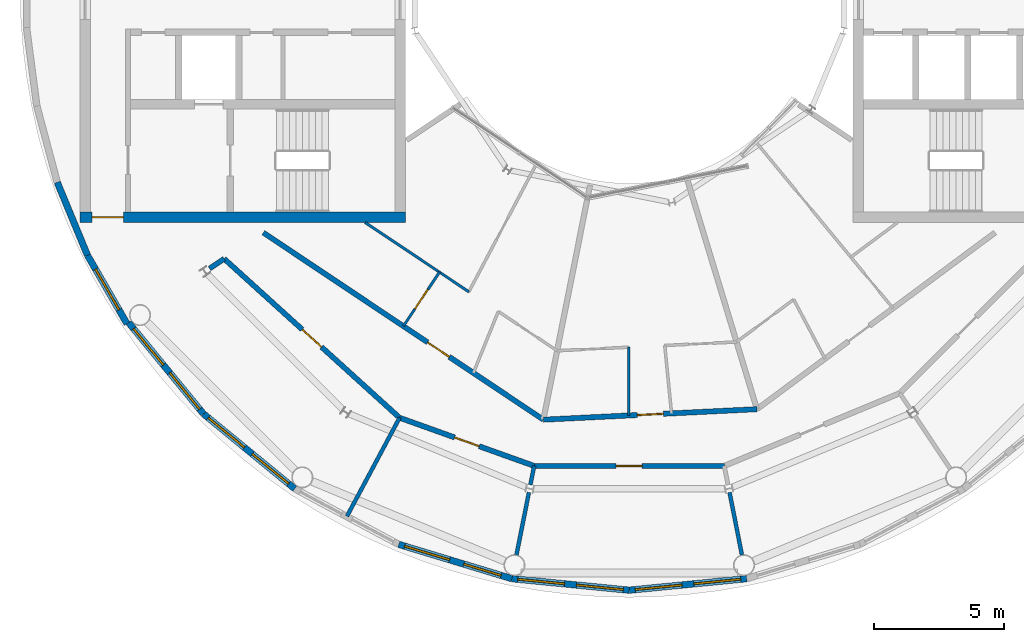
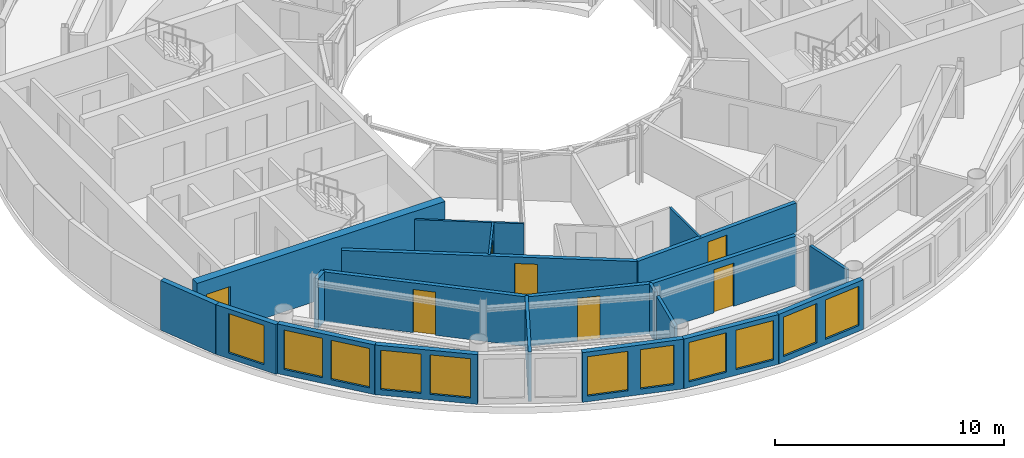
# One storey, part 8 of 17: 21 walls, 11 windows, 7 doors, 18 openings.
"""IFC4 building model written with IfcOpenShell, lengths in metres."""

from ifc_helpers import new_model, si_unit, direction, frame, frame_2d, origin, place, context, subcontext, project, spatial, rectangle, extrude, material, layer, layer_set, type_object, element, fill, save


model = new_model("IFC4")

# Units and contexts
model_context = context("Model", 3, precision=1e-05, world=origin(), true_north=direction((0.0, 1.0)))
body_context = subcontext(model_context, "Body", "Model", "MODEL_VIEW")
ifc_project = project(units=[si_unit("LENGTHUNIT", "METRE"), si_unit("AREAUNIT", "SQUARE_METRE"), si_unit("VOLUMEUNIT", "CUBIC_METRE"), si_unit("PLANEANGLEUNIT", "RADIAN"), si_unit("MASSUNIT", "GRAM", prefix="KILO")], contexts=[model_context])

# Site, building, storey
site_placement = place(None, origin())
site = spatial("IfcSite", under=ifc_project, at=site_placement, CompositionType="ELEMENT")
building_placement = place(site_placement, origin())
building = spatial("IfcBuilding", under=site, at=building_placement, Name="Maasbend Ring Residences", CompositionType="ELEMENT")
storey_placement = place(building_placement, frame((0.0, 0.0, 252.35009765625)))
storey = spatial("IfcBuildingStorey", under=building, at=storey_placement, Name="L73", CompositionType="ELEMENT", Elevation=252.35009765625)

# Wall, opening, door
ifc_material_1 = material(Name="Concrete C50/60", Category="concrete")
ifc_layer_1 = layer(ifc_material_1, 0.39990234375)
ifc_layer_set_1 = layer_set([ifc_layer_1], Name="Concrete C50/60")
wall_type_1 = type_object("IfcWallType", Name="CORE WALL 400 C50/60", PredefinedType="SHEAR", material=ifc_layer_set_1)
wall_1_placement = place(storey_placement, frame((-21.10009765625, -8.800048828125, 0.0), z_axis=(0.0, 0.0, 1.0), x_axis=(1.0, 0.0, 0.0)))
wall_1 = element("IfcWall", 1, at=wall_1_placement, inside=storey, type_object=wall_type_1, Name="L73 core W wall PN", PredefinedType="SHEAR", context=body_context, shape_type="SweptSolid", body=[
    extrude(rectangle(XDim=12.5, YDim=0.39990234375, at=frame_2d((6.25, 0.0))), origin(), (0.0, 0.0, 1.0), 3.0498046875),
])
opening_1_placement = place(wall_1_placement, frame((0.47509765625, 0.0, 0.0)))
opening_1 = element("IfcOpeningElement", 2, at=opening_1_placement, cuts=wall_1, Name="Opening D-W7314", PredefinedType="OPENING", context=body_context, shape_type="SweptSolid", body=[
    extrude(rectangle(XDim=1.199951171875, YDim=2.300048828125, at=frame_2d((0.60009765625, 1.14990234375))), frame((0.0, 0.2099609375, 0.0), z_axis=(0.0, -1.0, 0.0), x_axis=(1.0, 0.0, 0.0)), (0.0, 0.0, 1.0), 0.419921875),
])
ifc_material_2 = material(Name="Steel, powder coated", Category="steel")
door_type_1 = type_object("IfcDoorType", Name="CORRIDOR DOOR 1200 X 2300 FD30S", OperationType="NOTDEFINED", PredefinedType="DOOR", material=ifc_material_2)
door_1_placement = place(opening_1_placement, origin())
door_1 = element("IfcDoor", 3, at=door_1_placement, inside=storey, type_object=door_type_1, Name="Corridor door L73", OperationType="SINGLE_SWING_RIGHT", OverallHeight=2.300048828125, OverallWidth=1.199951171875, PredefinedType="DOOR", context=body_context, shape_type="SweptSolid", body=[
    extrude(rectangle(XDim=1.199951171875, YDim=2.300048828125, at=frame_2d((0.60009765625, 1.14990234375))), frame((0.0, 0.02490234375, 0.0), z_axis=(0.0, -1.0, 0.0), x_axis=(1.0, 0.0, 0.0)), (0.0, 0.0, 1.0), 0.050048828125),
])
fill(opening_1, door_1)

ifc_material_3 = material(Name="Concrete C30/37", Category="concrete")
ifc_layer_2 = layer(ifc_material_3, 0.199951171875)
ifc_layer_set_2 = layer_set([ifc_layer_2], Name="Concrete C30/37")
wall_type_2 = type_object("IfcWallType", Name="CORRIDOR WALL 200 CONCRETE", PredefinedType="PARTITIONING", material=ifc_layer_set_2)
wall_2_placement = place(storey_placement, frame((-8.820068359375, -16.5009765625, 0.0), z_axis=(0.0, 0.0, 1.0), x_axis=(0.941533512578, -0.336919344492, 0.0)))
wall_2 = element("IfcWall", 4, at=wall_2_placement, inside=storey, type_object=wall_type_2, Name="U-L73-w001", PredefinedType="PARTITIONING", context=body_context, shape_type="SweptSolid", body=[
    extrude(rectangle(XDim=5.4912109375, YDim=0.199951171875, at=frame_2d((2.74560546875, 0.0))), origin(), (0.0, 0.0, 1.0), 2.64990234375),
])
opening_2_placement = place(wall_2_placement, frame((2.24609375, 0.0, 0.0)))
opening_2 = element("IfcOpeningElement", 5, at=opening_2_placement, cuts=wall_2, Name="Opening D-7307", PredefinedType="OPENING", context=body_context, shape_type="SweptSolid", body=[
    extrude(rectangle(XDim=1.0, YDim=2.300048828125, at=frame_2d((0.5, 1.14990234375))), frame((0.0, 0.10986328125, 0.0), z_axis=(0.0, -1.0, 0.0), x_axis=(1.0, 0.0, 0.0)), (0.0, 0.0, 1.0), 0.219970703125),
])
ifc_material_4 = material(Name="Timber, painted", Category="wood")
door_type_2 = type_object("IfcDoorType", Name="ROOM DOOR 1000 X 2300", OperationType="NOTDEFINED", PredefinedType="DOOR", material=ifc_material_4)
door_2_placement = place(opening_2_placement, origin())
door_2 = element("IfcDoor", 6, at=door_2_placement, inside=storey, type_object=door_type_2, Name="D-7307", OperationType="SINGLE_SWING_RIGHT", OverallHeight=2.300048828125, OverallWidth=1.0, PredefinedType="DOOR", context=body_context, shape_type="SweptSolid", body=[
    extrude(rectangle(XDim=1.0, YDim=2.300048828125, at=frame_2d((0.5, 1.14990234375))), frame((0.0, 0.02490234375, 0.0), z_axis=(0.0, -1.0, 0.0), x_axis=(1.0, 0.0, 0.0)), (0.0, 0.0, 1.0), 0.050048828125),
])
fill(opening_2, door_2)

wall_3_placement = place(storey_placement, frame((-3.64990234375, -18.35107421875, 0.0), z_axis=(0.0, 0.0, 1.0), x_axis=(1.0, 0.0, 0.0)))
wall_3 = element("IfcWall", 7, at=wall_3_placement, inside=storey, type_object=wall_type_2, Name="U-L73-w002", PredefinedType="PARTITIONING", context=body_context, shape_type="SweptSolid", body=[
    extrude(rectangle(XDim=7.2998046875, YDim=0.199951171875, at=frame_2d((3.64990234375, 0.0))), origin(), (0.0, 0.0, 1.0), 2.64990234375),
])
opening_3_placement = place(wall_3_placement, frame((3.14990234375, 0.0, 0.0)))
opening_3 = element("IfcOpeningElement", 8, at=opening_3_placement, cuts=wall_3, Name="Opening D-7308", PredefinedType="OPENING", context=body_context, shape_type="SweptSolid", body=[
    extrude(rectangle(XDim=1.0, YDim=2.300048828125, at=frame_2d((0.5, 1.14990234375))), frame((0.0, 0.10986328125, 0.0), z_axis=(0.0, -1.0, 0.0), x_axis=(1.0, 0.0, 0.0)), (0.0, 0.0, 1.0), 0.219970703125),
])
door_3_placement = place(opening_3_placement, origin())
door_3 = element("IfcDoor", 9, at=door_3_placement, inside=storey, type_object=door_type_2, Name="D-7308", OperationType="SINGLE_SWING_LEFT", OverallHeight=2.300048828125, OverallWidth=1.0, PredefinedType="DOOR", context=body_context, shape_type="SweptSolid", body=[
    extrude(rectangle(XDim=1.0, YDim=2.300048828125, at=frame_2d((0.5, 1.14990234375))), frame((0.0, 0.02490234375, 0.0), z_axis=(0.0, -1.0, 0.0), x_axis=(1.0, 0.0, 0.0)), (0.0, 0.0, 1.0), 0.050048828125),
])
fill(opening_3, door_3)

wall_4_placement = place(storey_placement, frame((-15.556884765625, -10.39501953125, 0.0), z_axis=(0.0, 0.0, 1.0), x_axis=(0.740947701955, -0.671562731967, 0.0)))
wall_4 = element("IfcWall", 10, at=wall_4_placement, inside=storey, type_object=wall_type_2, Name="U-L73-w005", PredefinedType="PARTITIONING", context=body_context, shape_type="SweptSolid", body=[
    extrude(rectangle(XDim=9.092041015625, YDim=0.199951171875, at=frame_2d((4.5458984375, 0.0))), origin(), (0.0, 0.0, 1.0), 2.64990234375),
])
opening_4_placement = place(wall_4_placement, frame((4.0458984375, 0.0, 0.0)))
opening_4 = element("IfcOpeningElement", 11, at=opening_4_placement, cuts=wall_4, Name="Opening D-7306", PredefinedType="OPENING", context=body_context, shape_type="SweptSolid", body=[
    extrude(rectangle(XDim=1.0, YDim=2.300048828125, at=frame_2d((0.5, 1.14990234375))), frame((0.0, 0.10986328125, 0.0), z_axis=(0.0, -1.0, 0.0), x_axis=(1.0, 0.0, 0.0)), (0.0, 0.0, 1.0), 0.219970703125),
])
door_4_placement = place(opening_4_placement, origin())
door_4 = element("IfcDoor", 12, at=door_4_placement, inside=storey, type_object=door_type_2, Name="D-7306", OperationType="SINGLE_SWING_RIGHT", OverallHeight=2.300048828125, OverallWidth=1.0, PredefinedType="DOOR", context=body_context, shape_type="SweptSolid", body=[
    extrude(rectangle(XDim=1.0, YDim=2.300048828125, at=frame_2d((0.5, 1.14990234375))), frame((0.0, 0.02490234375, 0.0), z_axis=(0.0, -1.0, 0.0), x_axis=(1.0, 0.0, 0.0)), (0.0, 0.0, 1.0), 0.050048828125),
])
fill(opening_4, door_4)

wall_5_placement = place(storey_placement, frame((-3.297119140625, -16.574951171875, 0.0), z_axis=(0.0, 0.0, 1.0), x_axis=(0.998796706656, 0.0490422142, 0.0)))
wall_5 = element("IfcWall", 13, at=wall_5_placement, inside=storey, type_object=wall_type_2, Name="U-L73-w006", PredefinedType="PARTITIONING", context=body_context, shape_type="SweptSolid", body=[
    extrude(rectangle(XDim=8.2138671875, YDim=0.199951171875, at=frame_2d((4.10693359375, 0.0))), origin(), (0.0, 0.0, 1.0), 2.64990234375),
])
opening_5_placement = place(wall_5_placement, frame((3.614013671875, 0.0, 0.0)))
opening_5 = element("IfcOpeningElement", 14, at=opening_5_placement, cuts=wall_5, Name="Opening D-7327", PredefinedType="OPENING", context=body_context, shape_type="SweptSolid", body=[
    extrude(rectangle(XDim=1.0, YDim=2.300048828125, at=frame_2d((0.5, 1.14990234375))), frame((0.0, 0.10986328125, 0.0), z_axis=(0.0, -1.0, 0.0), x_axis=(1.0, 0.0, 0.0)), (0.0, 0.0, 1.0), 0.219970703125),
])
ifc_material_5 = material(Name="Timber, fire-rated, painted", Category="wood")
door_type_3 = type_object("IfcDoorType", Name="FLAT ENTRANCE DOOR 1000 X 2300 FIRE-RATED", OperationType="NOTDEFINED", PredefinedType="DOOR", material=ifc_material_5)
door_5_placement = place(opening_5_placement, origin())
door_5 = element("IfcDoor", 15, at=door_5_placement, inside=storey, type_object=door_type_3, Name="D-7327", OperationType="SINGLE_SWING_RIGHT", OverallHeight=2.300048828125, OverallWidth=1.0, PredefinedType="DOOR", context=body_context, shape_type="SweptSolid", body=[
    extrude(rectangle(XDim=1.0, YDim=2.300048828125, at=frame_2d((0.5, 1.14990234375))), frame((0.0, 0.02490234375, 0.0), z_axis=(0.0, -1.0, 0.0), x_axis=(1.0, 0.0, 0.0)), (0.0, 0.0, 1.0), 0.050048828125),
])
fill(opening_5, door_5)

wall_6_placement = place(storey_placement, frame((-14.052001953125, -9.39208984375, 0.0), z_axis=(0.0, 0.0, 1.0), x_axis=(0.831588235223, -0.555392660231, 0.0)))
wall_6 = element("IfcWall", 16, at=wall_6_placement, inside=storey, type_object=wall_type_2, Name="U-L73-w008", PredefinedType="PARTITIONING", context=body_context, shape_type="SweptSolid", body=[
    extrude(rectangle(XDim=12.932861328125, YDim=0.199951171875, at=frame_2d((6.46630859375, 0.0))), origin(), (0.0, 0.0, 1.0), 2.64990234375),
])
opening_6_placement = place(wall_6_placement, frame((7.5849609375, 0.0, 0.0)))
opening_6 = element("IfcOpeningElement", 17, at=opening_6_placement, cuts=wall_6, Name="Opening D-7323", PredefinedType="OPENING", context=body_context, shape_type="SweptSolid", body=[
    extrude(rectangle(XDim=1.0, YDim=2.300048828125, at=frame_2d((0.5, 1.14990234375))), frame((0.0, 0.10986328125, 0.0), z_axis=(0.0, -1.0, 0.0), x_axis=(1.0, 0.0, 0.0)), (0.0, 0.0, 1.0), 0.219970703125),
])
door_6_placement = place(opening_6_placement, origin())
door_6 = element("IfcDoor", 18, at=door_6_placement, inside=storey, type_object=door_type_3, Name="D-7323", OperationType="SINGLE_SWING_RIGHT", OverallHeight=2.300048828125, OverallWidth=1.0, PredefinedType="DOOR", context=body_context, shape_type="SweptSolid", body=[
    extrude(rectangle(XDim=1.0, YDim=2.300048828125, at=frame_2d((0.5, 1.14990234375))), frame((0.0, 0.02490234375, 0.0), z_axis=(0.0, -1.0, 0.0), x_axis=(1.0, 0.0, 0.0)), (0.0, 0.0, 1.0), 0.050048828125),
])
fill(opening_6, door_6)

# Wall
wall_7_placement = place(storey_placement, frame((-16.117919921875, -10.77001953125, 0.0), z_axis=(0.0, 0.0, 1.0), x_axis=(0.831381780519, 0.555701660086, 0.0)))
element("IfcWall", 19, at=wall_7_placement, inside=storey, type_object=wall_type_2, Name="U-L73-w017", PredefinedType="PARTITIONING", context=body_context, shape_type="SweptSolid", body=[
    extrude(rectangle(XDim=0.6748046875, YDim=0.199951171875, at=frame_2d((0.33740234375, 0.0))), origin(), (0.0, 0.0, 1.0), 2.64990234375),
])

# Wall, openings, windows
ifc_material_6 = material(Name="Aluminium clad insulated panel", Category="aluminium")
ifc_layer_3 = layer(ifc_material_6, 0.25)
ifc_layer_set_3 = layer_set([ifc_layer_3], Name="EW-GL")
wall_type_3 = type_object("IfcWallType", Name="EW-GL", PredefinedType="SOLIDWALL", material=ifc_layer_set_3)
wall_8_placement = place(storey_placement, frame((-19.22802734375, -12.847900390625, 0.0), z_axis=(0.0, 0.0, 1.0), x_axis=(0.634418942337, -0.772989395532, 0.0)))
wall_8 = element("IfcWall", 20, at=wall_8_placement, inside=storey, type_object=wall_type_3, Name="External wall S01", PredefinedType="SOLIDWALL", context=body_context, shape_type="SweptSolid", body=[
    extrude(rectangle(XDim=4.533203125, YDim=0.25, at=frame_2d((2.2666015625, 0.0))), origin(), (0.0, 0.0, 1.0), 2.64990234375),
])
opening_7_placement = place(wall_8_placement, frame((0.300048828125, 0.0, 0.300048828125)))
opening_7 = element("IfcOpeningElement", 21, at=opening_7_placement, cuts=wall_8, Name="Opening W-BX", PredefinedType="OPENING", context=body_context, shape_type="SweptSolid", body=[
    extrude(rectangle(XDim=1.800048828125, YDim=2.10009765625, at=frame_2d((0.89990234375, 1.050048828125))), frame((0.0, 0.135009765625, 0.0), z_axis=(0.0, -1.0, 0.0), x_axis=(1.0, 0.0, 0.0)), (0.0, 0.0, 1.0), 0.27001953125),
])
opening_8_placement = place(wall_8_placement, frame((2.497314453125, 0.0, 0.300048828125)))
opening_8 = element("IfcOpeningElement", 22, at=opening_8_placement, cuts=wall_8, Name="Opening W-BX", PredefinedType="OPENING", context=body_context, shape_type="SweptSolid", body=[
    extrude(rectangle(XDim=1.800048828125, YDim=2.10009765625, at=frame_2d((0.89990234375, 1.050048828125))), frame((0.0, 0.135009765625, 0.0), z_axis=(0.0, -1.0, 0.0), x_axis=(1.0, 0.0, 0.0)), (0.0, 0.0, 1.0), 0.27001953125),
])
ifc_material_7 = material(Name="Aluminium and clear glass", Category="aluminium")
window_type_1 = type_object("IfcWindowType", Name="W-BX", PartitioningType="DOUBLE_PANEL_VERTICAL", PredefinedType="WINDOW", material=ifc_material_7)
window_1_placement = place(opening_7_placement, origin())
window_1 = element("IfcWindow", 23, at=window_1_placement, inside=storey, type_object=window_type_1, Name="Window S01", OverallHeight=2.10009765625, OverallWidth=1.800048828125, PartitioningType="SINGLE_PANEL", PredefinedType="WINDOW", context=body_context, shape_type="SweptSolid", body=[
    extrude(rectangle(XDim=1.800048828125, YDim=2.10009765625, at=frame_2d((0.89990234375, 1.050048828125))), frame((0.0, 0.030029296875, 0.0), z_axis=(0.0, -1.0, 0.0), x_axis=(1.0, 0.0, 0.0)), (0.0, 0.0, 1.0), 0.06005859375),
])
fill(opening_7, window_1)
window_2_placement = place(opening_8_placement, origin())
window_2 = element("IfcWindow", 24, at=window_2_placement, inside=storey, type_object=window_type_1, Name="Window S02", OverallHeight=2.10009765625, OverallWidth=1.800048828125, PartitioningType="SINGLE_PANEL", PredefinedType="WINDOW", context=body_context, shape_type="SweptSolid", body=[
    extrude(rectangle(XDim=1.800048828125, YDim=2.10009765625, at=frame_2d((0.89990234375, 1.050048828125))), frame((0.0, 0.030029296875, 0.0), z_axis=(0.0, -1.0, 0.0), x_axis=(1.0, 0.0, 0.0)), (0.0, 0.0, 1.0), 0.06005859375),
])
fill(opening_8, window_2)

wall_9_placement = place(storey_placement, frame((-16.35205078125, -16.35205078125, 0.0), z_axis=(0.0, 0.0, 1.0), x_axis=(0.772989395532, -0.634418942337, 0.0)))
wall_9 = element("IfcWall", 25, at=wall_9_placement, inside=storey, type_object=wall_type_3, Name="External wall S02", PredefinedType="SOLIDWALL", context=body_context, shape_type="SweptSolid", body=[
    extrude(rectangle(XDim=4.533203125, YDim=0.25, at=frame_2d((2.2666015625, 0.0))), origin(), (0.0, 0.0, 1.0), 2.64990234375),
])
opening_9_placement = place(wall_9_placement, frame((0.236083984375, 0.0, 0.300048828125)))
opening_9 = element("IfcOpeningElement", 26, at=opening_9_placement, cuts=wall_9, Name="Opening W-BX", PredefinedType="OPENING", context=body_context, shape_type="SweptSolid", body=[
    extrude(rectangle(XDim=1.800048828125, YDim=2.10009765625, at=frame_2d((0.89990234375, 1.050048828125))), frame((0.0, 0.135009765625, 0.0), z_axis=(0.0, -1.0, 0.0), x_axis=(1.0, 0.0, 0.0)), (0.0, 0.0, 1.0), 0.27001953125),
])
opening_10_placement = place(wall_9_placement, frame((2.4267578125, 0.0, 0.300048828125)))
opening_10 = element("IfcOpeningElement", 27, at=opening_10_placement, cuts=wall_9, Name="Opening W-BX", PredefinedType="OPENING", context=body_context, shape_type="SweptSolid", body=[
    extrude(rectangle(XDim=1.800048828125, YDim=2.10009765625, at=frame_2d((0.89990234375, 1.050048828125))), frame((0.0, 0.135009765625, 0.0), z_axis=(0.0, -1.0, 0.0), x_axis=(1.0, 0.0, 0.0)), (0.0, 0.0, 1.0), 0.27001953125),
])
window_3_placement = place(opening_9_placement, origin())
window_3 = element("IfcWindow", 28, at=window_3_placement, inside=storey, type_object=window_type_1, Name="Window S03", OverallHeight=2.10009765625, OverallWidth=1.800048828125, PartitioningType="SINGLE_PANEL", PredefinedType="WINDOW", context=body_context, shape_type="SweptSolid", body=[
    extrude(rectangle(XDim=1.800048828125, YDim=2.10009765625, at=frame_2d((0.89990234375, 1.050048828125))), frame((0.0, 0.030029296875, 0.0), z_axis=(0.0, -1.0, 0.0), x_axis=(1.0, 0.0, 0.0)), (0.0, 0.0, 1.0), 0.06005859375),
])
fill(opening_9, window_3)
window_4_placement = place(opening_10_placement, origin())
window_4 = element("IfcWindow", 29, at=window_4_placement, inside=storey, type_object=window_type_1, Name="Window S04", OverallHeight=2.10009765625, OverallWidth=1.800048828125, PartitioningType="SINGLE_PANEL", PredefinedType="WINDOW", context=body_context, shape_type="SweptSolid", body=[
    extrude(rectangle(XDim=1.800048828125, YDim=2.10009765625, at=frame_2d((0.89990234375, 1.050048828125))), frame((0.0, 0.030029296875, 0.0), z_axis=(0.0, -1.0, 0.0), x_axis=(1.0, 0.0, 0.0)), (0.0, 0.0, 1.0), 0.06005859375),
])
fill(opening_10, window_4)

wall_10_placement = place(storey_placement, frame((-8.85009765625, -21.364990234375, 0.0), z_axis=(0.0, 0.0, 1.0), x_axis=(0.956960982965, -0.290216603735, 0.0)))
wall_10 = element("IfcWall", 30, at=wall_10_placement, inside=storey, type_object=wall_type_3, Name="External wall S04", PredefinedType="SOLIDWALL", context=body_context, shape_type="SweptSolid", body=[
    extrude(rectangle(XDim=4.5341796875, YDim=0.25, at=frame_2d((2.26708984375, 0.0))), origin(), (0.0, 0.0, 1.0), 2.64990234375),
])
opening_11_placement = place(wall_10_placement, frame((0.236083984375, 0.0, 0.300048828125)))
opening_11 = element("IfcOpeningElement", 31, at=opening_11_placement, cuts=wall_10, Name="Opening W-BX", PredefinedType="OPENING", context=body_context, shape_type="SweptSolid", body=[
    extrude(rectangle(XDim=1.800048828125, YDim=2.10009765625, at=frame_2d((0.89990234375, 1.050048828125))), frame((0.0, 0.135009765625, 0.0), z_axis=(0.0, -1.0, 0.0), x_axis=(1.0, 0.0, 0.0)), (0.0, 0.0, 1.0), 0.27001953125),
])
opening_12_placement = place(wall_10_placement, frame((2.606689453125, 0.0, 0.300048828125)))
opening_12 = element("IfcOpeningElement", 32, at=opening_12_placement, cuts=wall_10, Name="Opening W-BN", PredefinedType="OPENING", context=body_context, shape_type="SweptSolid", body=[
    extrude(rectangle(XDim=1.5, YDim=2.10009765625, at=frame_2d((0.75, 1.050048828125))), frame((0.0, 0.135009765625, 0.0), z_axis=(0.0, -1.0, 0.0), x_axis=(1.0, 0.0, 0.0)), (0.0, 0.0, 1.0), 0.27001953125),
])
ifc_material_8 = material(Name="Aluminium and clear glass", Category="aluminium")
window_type_2 = type_object("IfcWindowType", Name="W-BN", PartitioningType="SINGLE_PANEL", PredefinedType="WINDOW", material=ifc_material_8)
window_5_placement = place(opening_12_placement, origin())
window_5 = element("IfcWindow", 33, at=window_5_placement, inside=storey, type_object=window_type_2, Name="Window S08", OverallHeight=2.10009765625, OverallWidth=1.5, PartitioningType="SINGLE_PANEL", PredefinedType="WINDOW", context=body_context, shape_type="SweptSolid", body=[
    extrude(rectangle(XDim=1.5, YDim=2.10009765625, at=frame_2d((0.75, 1.050048828125))), frame((0.0, 0.030029296875, 0.0), z_axis=(0.0, -1.0, 0.0), x_axis=(1.0, 0.0, 0.0)), (0.0, 0.0, 1.0), 0.06005859375),
])
fill(opening_12, window_5)
window_6_placement = place(opening_11_placement, origin())
window_6 = element("IfcWindow", 34, at=window_6_placement, inside=storey, type_object=window_type_1, Name="Window S07", OverallHeight=2.10009765625, OverallWidth=1.800048828125, PartitioningType="SINGLE_PANEL", PredefinedType="WINDOW", context=body_context, shape_type="SweptSolid", body=[
    extrude(rectangle(XDim=1.800048828125, YDim=2.10009765625, at=frame_2d((0.89990234375, 1.050048828125))), frame((0.0, 0.030029296875, 0.0), z_axis=(0.0, -1.0, 0.0), x_axis=(1.0, 0.0, 0.0)), (0.0, 0.0, 1.0), 0.06005859375),
])
fill(opening_11, window_6)

wall_11_placement = place(storey_placement, frame((-4.510986328125, -22.680908203125, 0.0), z_axis=(0.0, 0.0, 1.0), x_axis=(0.995189063612, -0.097973096645, 0.0)))
wall_11 = element("IfcWall", 35, at=wall_11_placement, inside=storey, type_object=wall_type_3, Name="External wall S05", PredefinedType="SOLIDWALL", context=body_context, shape_type="SweptSolid", body=[
    extrude(rectangle(XDim=4.53271484375, YDim=0.25, at=frame_2d((2.266357421875, 0.0))), origin(), (0.0, 0.0, 1.0), 2.64990234375),
])
opening_13_placement = place(wall_11_placement, frame((0.236083984375, 0.0, 0.300048828125)))
opening_13 = element("IfcOpeningElement", 36, at=opening_13_placement, cuts=wall_11, Name="Opening W-BX", PredefinedType="OPENING", context=body_context, shape_type="SweptSolid", body=[
    extrude(rectangle(XDim=1.800048828125, YDim=2.10009765625, at=frame_2d((0.89990234375, 1.050048828125))), frame((0.0, 0.135009765625, 0.0), z_axis=(0.0, -1.0, 0.0), x_axis=(1.0, 0.0, 0.0)), (0.0, 0.0, 1.0), 0.27001953125),
])
opening_14_placement = place(wall_11_placement, frame((2.497314453125, 0.0, 0.300048828125)))
opening_14 = element("IfcOpeningElement", 37, at=opening_14_placement, cuts=wall_11, Name="Opening W-BX", PredefinedType="OPENING", context=body_context, shape_type="SweptSolid", body=[
    extrude(rectangle(XDim=1.800048828125, YDim=2.10009765625, at=frame_2d((0.89990234375, 1.050048828125))), frame((0.0, 0.135009765625, 0.0), z_axis=(0.0, -1.0, 0.0), x_axis=(1.0, 0.0, 0.0)), (0.0, 0.0, 1.0), 0.27001953125),
])
window_7_placement = place(opening_13_placement, origin())
window_7 = element("IfcWindow", 38, at=window_7_placement, inside=storey, type_object=window_type_1, Name="Window S09", OverallHeight=2.10009765625, OverallWidth=1.800048828125, PartitioningType="SINGLE_PANEL", PredefinedType="WINDOW", context=body_context, shape_type="SweptSolid", body=[
    extrude(rectangle(XDim=1.800048828125, YDim=2.10009765625, at=frame_2d((0.89990234375, 1.050048828125))), frame((0.0, 0.030029296875, 0.0), z_axis=(0.0, -1.0, 0.0), x_axis=(1.0, 0.0, 0.0)), (0.0, 0.0, 1.0), 0.06005859375),
])
fill(opening_13, window_7)
window_8_placement = place(opening_14_placement, origin())
window_8 = element("IfcWindow", 39, at=window_8_placement, inside=storey, type_object=window_type_1, Name="Window S10", OverallHeight=2.10009765625, OverallWidth=1.800048828125, PartitioningType="SINGLE_PANEL", PredefinedType="WINDOW", context=body_context, shape_type="SweptSolid", body=[
    extrude(rectangle(XDim=1.800048828125, YDim=2.10009765625, at=frame_2d((0.89990234375, 1.050048828125))), frame((0.0, 0.030029296875, 0.0), z_axis=(0.0, -1.0, 0.0), x_axis=(1.0, 0.0, 0.0)), (0.0, 0.0, 1.0), 0.06005859375),
])
fill(opening_14, window_8)

wall_12_placement = place(storey_placement, frame((0.0, -23.125, 0.0), z_axis=(0.0, 0.0, 1.0), x_axis=(0.995189063612, 0.097973096645, 0.0)))
wall_12 = element("IfcWall", 40, at=wall_12_placement, inside=storey, type_object=wall_type_3, Name="External wall S06", PredefinedType="SOLIDWALL", context=body_context, shape_type="SweptSolid", body=[
    extrude(rectangle(XDim=4.53271484375, YDim=0.25, at=frame_2d((2.266357421875, 0.0))), origin(), (0.0, 0.0, 1.0), 2.64990234375),
])
opening_15_placement = place(wall_12_placement, frame((0.236083984375, 0.0, 0.300048828125)))
opening_15 = element("IfcOpeningElement", 41, at=opening_15_placement, cuts=wall_12, Name="Opening W-BX", PredefinedType="OPENING", context=body_context, shape_type="SweptSolid", body=[
    extrude(rectangle(XDim=1.800048828125, YDim=2.10009765625, at=frame_2d((0.89990234375, 1.050048828125))), frame((0.0, 0.135009765625, 0.0), z_axis=(0.0, -1.0, 0.0), x_axis=(1.0, 0.0, 0.0)), (0.0, 0.0, 1.0), 0.27001953125),
])
opening_16_placement = place(wall_12_placement, frame((2.497314453125, 0.0, 0.300048828125)))
opening_16 = element("IfcOpeningElement", 42, at=opening_16_placement, cuts=wall_12, Name="Opening W-BX", PredefinedType="OPENING", context=body_context, shape_type="SweptSolid", body=[
    extrude(rectangle(XDim=1.800048828125, YDim=2.10009765625, at=frame_2d((0.89990234375, 1.050048828125))), frame((0.0, 0.135009765625, 0.0), z_axis=(0.0, -1.0, 0.0), x_axis=(1.0, 0.0, 0.0)), (0.0, 0.0, 1.0), 0.27001953125),
])
window_9_placement = place(opening_15_placement, origin())
window_9 = element("IfcWindow", 43, at=window_9_placement, inside=storey, type_object=window_type_1, Name="Window S11", OverallHeight=2.10009765625, OverallWidth=1.800048828125, PartitioningType="SINGLE_PANEL", PredefinedType="WINDOW", context=body_context, shape_type="SweptSolid", body=[
    extrude(rectangle(XDim=1.800048828125, YDim=2.10009765625, at=frame_2d((0.89990234375, 1.050048828125))), frame((0.0, 0.030029296875, 0.0), z_axis=(0.0, -1.0, 0.0), x_axis=(1.0, 0.0, 0.0)), (0.0, 0.0, 1.0), 0.06005859375),
])
fill(opening_15, window_9)
window_10_placement = place(opening_16_placement, origin())
window_10 = element("IfcWindow", 44, at=window_10_placement, inside=storey, type_object=window_type_1, Name="Window S12", OverallHeight=2.10009765625, OverallWidth=1.800048828125, PartitioningType="SINGLE_PANEL", PredefinedType="WINDOW", context=body_context, shape_type="SweptSolid", body=[
    extrude(rectangle(XDim=1.800048828125, YDim=2.10009765625, at=frame_2d((0.89990234375, 1.050048828125))), frame((0.0, 0.030029296875, 0.0), z_axis=(0.0, -1.0, 0.0), x_axis=(1.0, 0.0, 0.0)), (0.0, 0.0, 1.0), 0.06005859375),
])
fill(opening_16, window_10)

# Wall, opening, window
ifc_material_9 = material(Name="Aluminium clad insulated panel", Category="aluminium")
ifc_layer_4 = layer(ifc_material_9, 0.25)
ifc_layer_set_4 = layer_set([ifc_layer_4], Name="EW-HORN")
wall_type_4 = type_object("IfcWallType", Name="EW-HORN", PredefinedType="SOLIDWALL", material=ifc_layer_set_4)
wall_13_placement = place(storey_placement, frame((-20.806884765625, -10.260986328125, 0.0), z_axis=(0.0, 0.0, 1.0), x_axis=(0.499903546559, -0.866081084043, 0.0)))
wall_13 = element("IfcWall", 45, at=wall_13_placement, inside=storey, type_object=wall_type_4, Name="Horn wall 2.9", PredefinedType="SOLIDWALL", context=body_context, shape_type="SweptSolid", body=[
    extrude(rectangle(XDim=3.0341796875, YDim=0.25, at=frame_2d((1.51708984375, 0.0))), origin(), (0.0, 0.0, 1.0), 2.64990234375),
])
opening_17_placement = place(wall_13_placement, frame((0.617431640625, 0.0, 0.300048828125)))
opening_17 = element("IfcOpeningElement", 46, at=opening_17_placement, cuts=wall_13, Name="Opening W-BX", PredefinedType="OPENING", context=body_context, shape_type="SweptSolid", body=[
    extrude(rectangle(XDim=1.800048828125, YDim=2.10009765625, at=frame_2d((0.89990234375, 1.050048828125))), frame((0.0, 0.135009765625, 0.0), z_axis=(0.0, -1.0, 0.0), x_axis=(1.0, 0.0, 0.0)), (0.0, 0.0, 1.0), 0.27001953125),
])
window_11_placement = place(opening_17_placement, origin())
window_11 = element("IfcWindow", 47, at=window_11_placement, inside=storey, type_object=window_type_1, Name="Horn window 2.9", OverallHeight=2.10009765625, OverallWidth=1.800048828125, PartitioningType="SINGLE_PANEL", PredefinedType="WINDOW", context=body_context, shape_type="SweptSolid", body=[
    extrude(rectangle(XDim=1.800048828125, YDim=2.10009765625, at=frame_2d((0.89990234375, 1.050048828125))), frame((0.0, 0.030029296875, 0.0), z_axis=(0.0, -1.0, 0.0), x_axis=(1.0, 0.0, 0.0)), (0.0, 0.0, 1.0), 0.06005859375),
])
fill(opening_17, window_11)

# Walls
ifc_material_10 = material(Name="Louvred aluminium panel", Category="aluminium")
ifc_layer_5 = layer(ifc_material_10, 0.25)
ifc_layer_set_5 = layer_set([ifc_layer_5], Name="EW-LV")
wall_type_5 = type_object("IfcWallType", Name="EW-LV", PredefinedType="SOLIDWALL", material=ifc_layer_set_5)
wall_14_placement = place(storey_placement, frame((-21.968994140625, -7.45703125, 0.0), z_axis=(0.0, 0.0, 1.0), x_axis=(0.382872724993, -0.923801102216, 0.0)))
element("IfcWall", 48, at=wall_14_placement, inside=storey, type_object=wall_type_5, Name="Horn wall 2.8", PredefinedType="SOLIDWALL", context=body_context, shape_type="SweptSolid", body=[
    extrude(rectangle(XDim=3.03515625, YDim=0.25, at=frame_2d((1.517578125, 0.0))), origin(), (0.0, 0.0, 1.0), 2.64990234375),
])
ifc_material_11 = material(Name="Gypsum board on steel studs", Category="steel")
ifc_layer_6 = layer(ifc_material_11, 0.10009765625)
ifc_layer_set_6 = layer_set([ifc_layer_6], Name="PARTITION 100 GYPSUM")
wall_type_6 = type_object("IfcWallType", Name="PARTITION 100 GYPSUM", PredefinedType="PARTITIONING", material=ifc_layer_set_6)
wall_15_placement = place(storey_placement, frame((-10.14306640625, -9.001953125, 0.0), z_axis=(0.0, 0.0, 1.0), x_axis=(0.831595529181, -0.555381738849, 0.0)))
element("IfcWall", 49, at=wall_15_placement, inside=storey, type_object=wall_type_6, Name="U-L73-w013", PredefinedType="PARTITIONING", context=body_context, shape_type="SweptSolid", body=[
    extrude(rectangle(XDim=4.793212890625, YDim=0.10009765625, at=frame_2d((2.396484375, 0.0))), origin(), (0.0, 0.0, 1.0), 2.64990234375),
])

# Wall, opening, door
wall_16_placement = place(storey_placement, frame((-8.674072265625, -12.98193359375, 0.0), z_axis=(0.0, 0.0, 1.0), x_axis=(0.555355163998, 0.831613276602, 0.0)))
wall_16 = element("IfcWall", 50, at=wall_16_placement, inside=storey, type_object=wall_type_6, Name="U-L73-w022", PredefinedType="PARTITIONING", context=body_context, shape_type="SweptSolid", body=[
    extrude(rectangle(XDim=2.493896484375, YDim=0.10009765625, at=frame_2d((1.2470703125, 0.0))), origin(), (0.0, 0.0, 1.0), 2.64990234375),
])
opening_18_placement = place(wall_16_placement, frame((0.797119140625, 0.0, 0.0)))
opening_18 = element("IfcOpeningElement", 51, at=opening_18_placement, cuts=wall_16, Name="Opening D-7325", PredefinedType="OPENING", context=body_context, shape_type="SweptSolid", body=[
    extrude(rectangle(XDim=0.89990234375, YDim=2.300048828125, at=frame_2d((0.449951171875, 1.14990234375))), frame((0.0, 0.06005859375, 0.0), z_axis=(0.0, -1.0, 0.0), x_axis=(1.0, 0.0, 0.0)), (0.0, 0.0, 1.0), 0.1201171875),
])
ifc_material_12 = material(Name="Timber, painted", Category="wood")
door_type_4 = type_object("IfcDoorType", Name="INTERNAL DOOR 900 X 2300", OperationType="NOTDEFINED", PredefinedType="DOOR", material=ifc_material_12)
door_7_placement = place(opening_18_placement, origin())
door_7 = element("IfcDoor", 52, at=door_7_placement, inside=storey, type_object=door_type_4, Name="D-7325", OperationType="SINGLE_SWING_RIGHT", OverallHeight=2.300048828125, OverallWidth=0.89990234375, PredefinedType="DOOR", context=body_context, shape_type="SweptSolid", body=[
    extrude(rectangle(XDim=0.89990234375, YDim=2.300048828125, at=frame_2d((0.449951171875, 1.14990234375))), frame((0.0, 0.02490234375, 0.0), z_axis=(0.0, -1.0, 0.0), x_axis=(1.0, 0.0, 0.0)), (0.0, 0.0, 1.0), 0.050048828125),
])
fill(opening_18, door_7)

# Walls
wall_17_placement = place(storey_placement, frame((-0.01611328125, -16.4140625, 0.0), z_axis=(0.0, 0.0, 1.0), x_axis=(0.001210427419, 0.999999267432, 0.0)))
element("IfcWall", 53, at=wall_17_placement, inside=storey, type_object=wall_type_6, Name="U-L73-w035", PredefinedType="PARTITIONING", context=body_context, shape_type="SweptSolid", body=[
    extrude(rectangle(XDim=2.6220703125, YDim=0.10009765625, at=frame_2d((1.31103515625, 0.0))), origin(), (0.0, 0.0, 1.0), 2.64990234375),
])
ifc_material_13 = material(Name="Gypsum board on steel studs", Category="steel")
ifc_layer_7 = layer(ifc_material_13, 0.14990234375)
ifc_layer_set_7 = layer_set([ifc_layer_7], Name="PARTITION 150 GYPSUM")
wall_type_7 = type_object("IfcWallType", Name="PARTITION 150 GYPSUM", PredefinedType="PARTITIONING", material=ifc_layer_set_7)
wall_18_placement = place(storey_placement, frame((-10.842041015625, -20.283935546875, 0.0), z_axis=(0.0, 0.0, 1.0), x_axis=(0.471385667229, 0.881927181082, 0.0)))
element("IfcWall", 54, at=wall_18_placement, inside=storey, type_object=wall_type_7, Name="U-L73-w020", PredefinedType="PARTITIONING", context=body_context, shape_type="SweptSolid", body=[
    extrude(rectangle(XDim=4.289306640625, YDim=0.14990234375, at=frame_2d((2.14453125, 0.0))), origin(), (0.0, 0.0, 1.0), 2.64990234375),
])
wall_19_placement = place(storey_placement, frame((-4.33203125, -21.77490234375, 0.0), z_axis=(0.0, 0.0, 1.0), x_axis=(0.195350176405, 0.980733556364, 0.0)))
element("IfcWall", 55, at=wall_19_placement, inside=storey, type_object=wall_type_7, Name="U-L73-w030", PredefinedType="PARTITIONING", context=body_context, shape_type="SweptSolid", body=[
    extrude(rectangle(XDim=2.4521484375, YDim=0.14990234375, at=frame_2d((1.22607421875, 0.0))), origin(), (0.0, 0.0, 1.0), 2.64990234375),
])
wall_20_placement = place(storey_placement, frame((-3.794921875, -19.075927734375, 0.0), z_axis=(0.0, 0.0, 1.0), x_axis=(0.196179647951, 0.980567970989, 0.0)))
element("IfcWall", 56, at=wall_20_placement, inside=storey, type_object=wall_type_7, Name="U-L73-w032", PredefinedType="PARTITIONING", context=body_context, shape_type="SweptSolid", body=[
    extrude(rectangle(XDim=0.7392578125, YDim=0.14990234375, at=frame_2d((0.36962890625, 0.0))), origin(), (0.0, 0.0, 1.0), 2.64990234375),
])
wall_21_placement = place(storey_placement, frame((3.85302734375, -19.37109375, 0.0), z_axis=(0.0, 0.0, 1.0), x_axis=(0.195043256877, -0.980794641068, 0.0)))
element("IfcWall", 57, at=wall_21_placement, inside=storey, type_object=wall_type_7, Name="U-L73-w043", PredefinedType="PARTITIONING", context=body_context, shape_type="SweptSolid", body=[
    extrude(rectangle(XDim=2.450927734375, YDim=0.14990234375, at=frame_2d((1.2255859375, 0.0))), origin(), (0.0, 0.0, 1.0), 2.64990234375),
])

save(model, "model.ifc")
